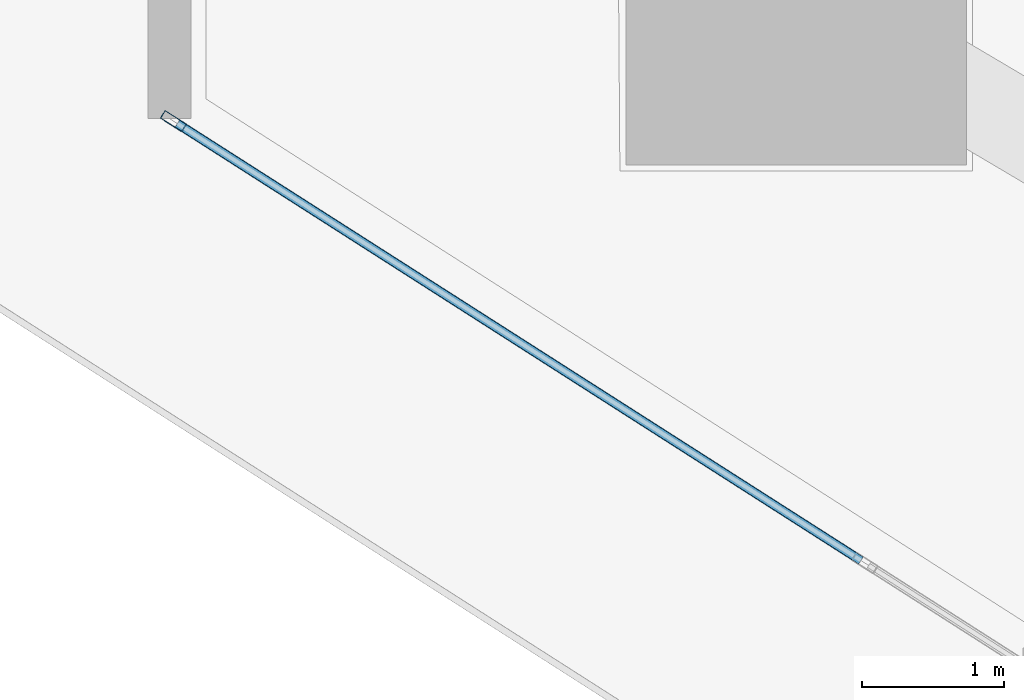
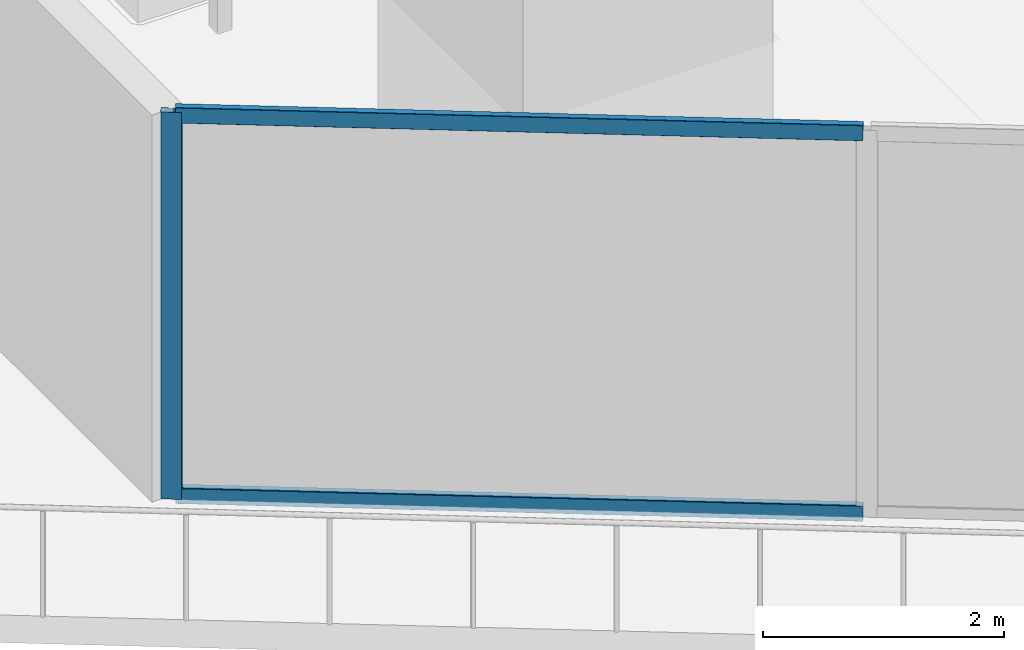
# One storey, part 4 of 45: 3 members, 1 element without a shape of its own.
"""IFC4 building model written with IfcOpenShell, lengths in metres."""

from ifc_helpers import new_model, si_unit, direction, frame, origin, origin_2d, place, context, subcontext, project, spatial, hollow_rectangle, extrude, material, layer, layer_set, material_profile, profile_set, type_object, element, aggregate, save


model = new_model("IFC4")

# Units and contexts
model_context = context("Model", 3, precision=1e-05, world=origin(), true_north=direction((0.0, 1.0)))
body_context = subcontext(model_context, "Body", "Model", "MODEL_VIEW")
ifc_project = project(units=[si_unit("LENGTHUNIT", "METRE"), si_unit("AREAUNIT", "SQUARE_METRE"), si_unit("VOLUMEUNIT", "CUBIC_METRE"), si_unit("PLANEANGLEUNIT", "RADIAN"), si_unit("MASSUNIT", "GRAM", prefix="KILO")], contexts=[model_context])

# Site, building, storey
site_placement = place(None, origin())
site = spatial("IfcSite", under=ifc_project, at=site_placement, CompositionType="ELEMENT")
building_placement = place(site_placement, origin())
building = spatial("IfcBuilding", under=site, at=building_placement, Name="Qorvath Tower", CompositionType="ELEMENT")
storey_placement = place(building_placement, frame((0.0, 0.0, 66.0)))
storey = spatial("IfcBuildingStorey", under=building, at=storey_placement, Name="L14", CompositionType="ELEMENT", Elevation=66.0)

# Curtain wall, members
ifc_material_1 = material(Name="Anodised aluminium and triple low-E glass", Category="aluminium")
ifc_layer = layer(ifc_material_1, 0.179931640625)
ifc_layer_set = layer_set([ifc_layer], Name="CW-SYS-2")
curtain_wall_type = type_object("IfcCurtainWallType", Name="CW-SYS-2", PredefinedType="NOTDEFINED", material=ifc_layer_set)
curtain_wall_placement = place(storey_placement, origin())
curtain_wall = element("IfcCurtainWall", 1, at=curtain_wall_placement, inside=storey, type_object=curtain_wall_type, Name="Curtain Wall CW-2 CW-T-L14-2.1", PredefinedType="NOTDEFINED")
ifc_material_2 = material(Name="Anodised aluminium 6063-T6", Category="aluminium")
ifc_material_profile_1 = material_profile(ifc_material_2, hollow_rectangle(XDim=0.06494140625, YDim=0.179931640625, WallThickness=0.00341796875, InnerFilletRadius=0.00341796875, OuterFilletRadius=0.007080078125, at=origin_2d()), Name="CWM 180x65")
ifc_profile_set_1 = profile_set([ifc_material_profile_1], Name="Anodised aluminium 6063-T6")
member_type_1 = type_object("IfcMemberType", Name="CWM-180", PredefinedType="MULLION", material=ifc_profile_set_1)
member_1_placement = place(storey_placement, frame((-59.669677734375, -4.08447265625, 0.0), z_axis=(0.0, 0.0, 1.0), x_axis=(0.538530641183, 0.842605927173, 0.0)))
member_1 = element("IfcMember", 2, at=member_1_placement, type_object=member_type_1, Name="CW-2 mullion 1", PredefinedType="MULLION", context=body_context, shape_type="SweptSolid", body=[
    extrude(hollow_rectangle(XDim=0.06494140625, YDim=0.179931640625, WallThickness=0.00341796875, InnerFilletRadius=0.00341796875, OuterFilletRadius=0.007080078125, at=origin_2d()), origin(), (0.0, 0.0, 1.0), 3.919921875),
])
ifc_material_3 = material(Name="Anodised aluminium 6063-T6", Category="aluminium")
ifc_material_profile_2 = material_profile(ifc_material_3, hollow_rectangle(XDim=0.06494140625, YDim=0.159912109375, WallThickness=0.00341796875, InnerFilletRadius=0.00341796875, OuterFilletRadius=0.007080078125, at=origin_2d()), Name="CWT 160x65")
ifc_profile_set_2 = profile_set([ifc_material_profile_2], Name="Anodised aluminium 6063-T6")
member_type_2 = type_object("IfcMemberType", Name="CWT-160", PredefinedType="USERDEFINED", material=ifc_profile_set_2)
member_2_placement = place(storey_placement, frame((-59.642333984375, -4.101806640625, 0.032470703125), z_axis=(0.842590167086, -0.53855529923, 0.0), x_axis=(0.53855529923, 0.842590167086, 0.0)))
member_2 = element("IfcMember", 3, at=member_2_placement, type_object=member_type_2, Name="CW-2 transom 1.1", ObjectType="TRANSOM", PredefinedType="USERDEFINED", context=body_context, shape_type="SweptSolid", body=[
    extrude(hollow_rectangle(XDim=0.06494140625, YDim=0.159912109375, WallThickness=0.00341796875, InnerFilletRadius=0.00341796875, OuterFilletRadius=0.007080078125, at=origin_2d()), origin(), (0.0, 0.0, 1.0), 5.714111328125),
])
member_3_placement = place(storey_placement, frame((-59.642333984375, -4.101806640625, 3.887451171875), z_axis=(0.842590167086, -0.53855529923, 0.0), x_axis=(0.53855529923, 0.842590167086, 0.0)))
member_3 = element("IfcMember", 4, at=member_3_placement, type_object=member_type_2, Name="CW-2 transom 1.2", ObjectType="TRANSOM", PredefinedType="USERDEFINED", context=body_context, shape_type="SweptSolid", body=[
    extrude(hollow_rectangle(XDim=0.06494140625, YDim=0.159912109375, WallThickness=0.00341796875, InnerFilletRadius=0.00341796875, OuterFilletRadius=0.007080078125, at=origin_2d()), origin(), (0.0, 0.0, 1.0), 5.714111328125),
])
aggregate(curtain_wall, [member_1, member_2, member_3])

save(model, "model.ifc")
